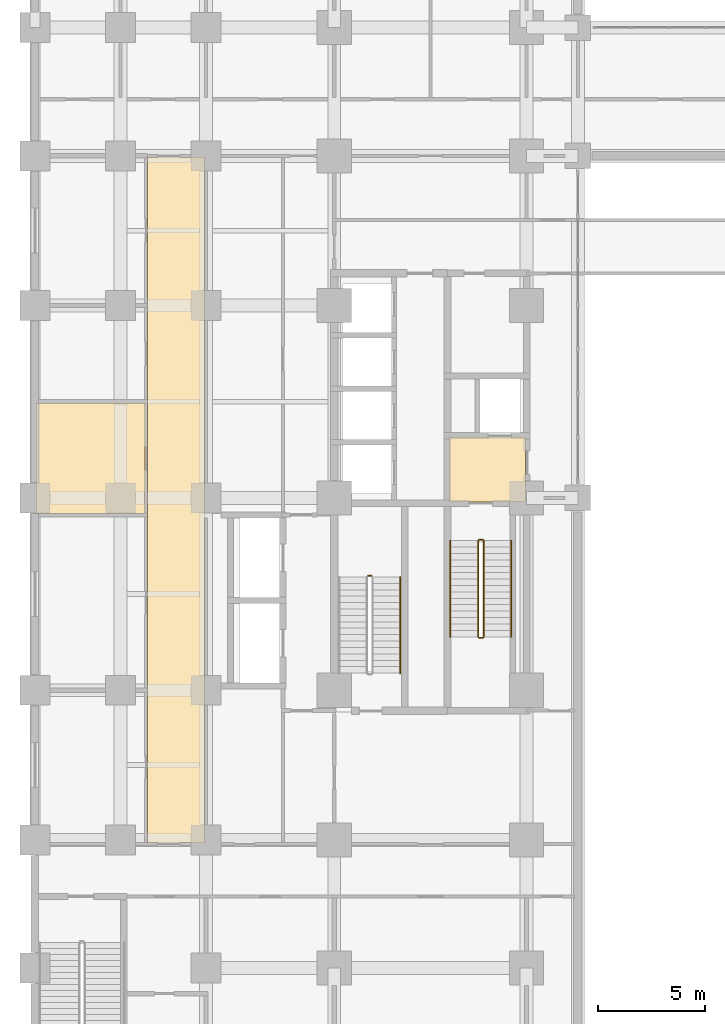
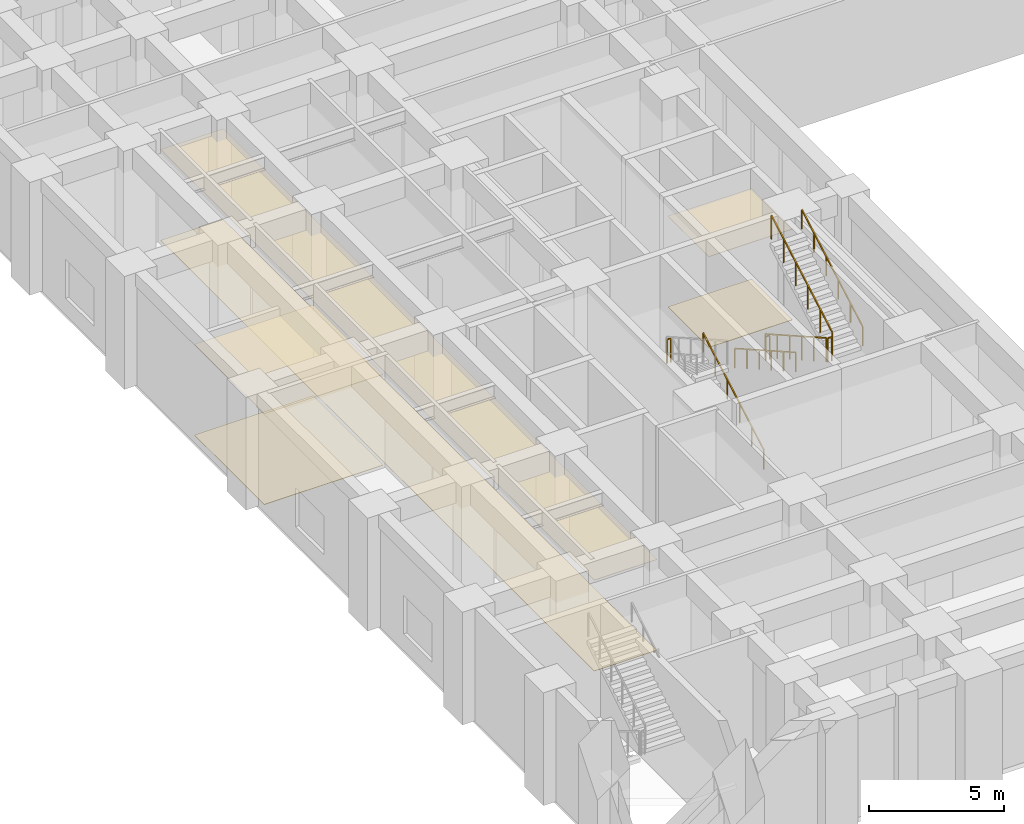
# One storey, part 19 of 23: 8 railings, 6 coverings.
"""IFC4 building model written with IfcOpenShell, lengths in metres."""

from ifc_helpers import new_model, si_unit, direction, frame, origin, origin_2d, place, context, subcontext, project, spatial, polyline, rectangle, outline, extrude, material, layer, layer_set, type_object, element, save


model = new_model("IFC4")

# Units and contexts
model_context = context("Model", 3, precision=1e-05, world=origin(), true_north=direction((0.0, 1.0)))
body_context = subcontext(model_context, "Body", "Model", "MODEL_VIEW")
ifc_project = project(units=[si_unit("LENGTHUNIT", "METRE"), si_unit("AREAUNIT", "SQUARE_METRE"), si_unit("VOLUMEUNIT", "CUBIC_METRE"), si_unit("PLANEANGLEUNIT", "RADIAN"), si_unit("MASSUNIT", "GRAM", prefix="KILO")], contexts=[model_context])

# Site, building, storey
site_placement = place(None, origin())
site = spatial("IfcSite", under=ifc_project, at=site_placement, CompositionType="ELEMENT")
building_placement = place(site_placement, origin())
building = spatial("IfcBuilding", under=site, at=building_placement, Name="Zulmaris Gate Convention Tower", CompositionType="ELEMENT")
storey_placement = place(building_placement, frame((0.0, 0.0, 10.8798828125)))
storey = spatial("IfcBuildingStorey", under=building, at=storey_placement, Name="L02", CompositionType="ELEMENT", Elevation=10.8798828125)

# Coverings
ifc_material_1 = material(Name="Mineral Fibre Acoustic Ceiling Tile")
ifc_layer_1 = layer(ifc_material_1, 0.02001953125, Name="Mineral Fibre Acoustic Ceiling Tile")
ifc_layer_set_1 = layer_set([ifc_layer_1], Name="Mineral Fibre Acoustic Ceiling Tile")
covering_type_1 = type_object("IfcCoveringType", Name="CLG-ACOUSTIC-600", PredefinedType="CEILING", material=ifc_layer_set_1)
covering_1_placement = place(storey_placement, frame((0.0, 0.0, 4.10009765625)))
element("IfcCovering", 1, at=covering_1_placement, inside=storey, type_object=covering_type_1, Name="CLG-L02-R03", PredefinedType="CEILING", context=body_context, shape_type="SweptSolid", body=[
    extrude(outline(polyline([(-14.639892578125, -0.18994140625), (-11.06005859375, -0.18994140625), (-11.06005859375, 2.840087890625), (-14.639892578125, 2.840087890625), (-14.639892578125, -0.18994140625)])), origin(), (0.0, 0.0, 1.0), 0.02001953125),
])
covering_2_placement = place(storey_placement, frame((0.0, 0.0, 4.10009765625)))
element("IfcCovering", 2, at=covering_2_placement, inside=storey, type_object=covering_type_1, Name="CLG-L02-R64", PredefinedType="CEILING", context=body_context, shape_type="SweptSolid", body=[
    extrude(outline(polyline([(-28.739990234375, -16.139892578125), (-26.06005859375, -16.139892578125), (-26.06005859375, 15.93994140625), (-28.739990234375, 15.93994140625), (-28.739990234375, -16.139892578125)])), origin(), (0.0, 0.0, 1.0), 0.02001953125),
])
covering_3_placement = place(storey_placement, frame((0.0, 0.0, 4.10009765625)))
element("IfcCovering", 3, at=covering_3_placement, inside=storey, type_object=covering_type_1, Name="CLG-L02-R67", PredefinedType="CEILING", context=body_context, shape_type="SweptSolid", body=[
    extrude(outline(polyline([(-33.93994140625, -0.739990234375), (-28.860107421875, -0.739990234375), (-28.860107421875, 4.43994140625), (-33.93994140625, 4.43994140625), (-33.93994140625, -0.739990234375)])), origin(), (0.0, 0.0, 1.0), 0.02001953125),
])
ifc_material_2 = material(Name="Woven Acoustic Wool Carpet Tile")
ifc_layer_2 = layer(ifc_material_2, 0.02001953125, Name="Woven Acoustic Wool Carpet Tile")
ifc_layer_set_2 = layer_set([ifc_layer_2], Name="Woven Acoustic Wool Carpet Tile")
covering_type_2 = type_object("IfcCoveringType", Name="FLR-CARPET-12", PredefinedType="FLOORING", material=ifc_layer_set_2)
covering_4_placement = place(storey_placement, origin())
element("IfcCovering", 4, at=covering_4_placement, inside=storey, type_object=covering_type_2, Name="FLR-L02-R03", PredefinedType="FLOORING", context=body_context, shape_type="SweptSolid", body=[
    extrude(outline(polyline([(-14.639892578125, -0.18994140625), (-11.06005859375, -0.18994140625), (-11.06005859375, 2.840087890625), (-14.639892578125, 2.840087890625), (-14.639892578125, -0.18994140625)])), origin(), (0.0, 0.0, 1.0), 0.02001953125),
])
covering_5_placement = place(storey_placement, origin())
element("IfcCovering", 5, at=covering_5_placement, inside=storey, type_object=covering_type_2, Name="FLR-L02-R64", PredefinedType="FLOORING", context=body_context, shape_type="SweptSolid", body=[
    extrude(outline(polyline([(-28.739990234375, -16.139892578125), (-26.06005859375, -16.139892578125), (-26.06005859375, 15.93994140625), (-28.739990234375, 15.93994140625), (-28.739990234375, -16.139892578125)])), origin(), (0.0, 0.0, 1.0), 0.02001953125),
])
ifc_material_3 = material(Name="Engineered Teak Parquet Flooring")
ifc_layer_3 = layer(ifc_material_3, 0.02001953125, Name="Engineered Teak Parquet Flooring")
ifc_layer_set_3 = layer_set([ifc_layer_3], Name="Engineered Teak Parquet Flooring")
covering_type_3 = type_object("IfcCoveringType", Name="FLR-TIMBER-18", PredefinedType="FLOORING", material=ifc_layer_set_3)
covering_6_placement = place(storey_placement, origin())
element("IfcCovering", 6, at=covering_6_placement, inside=storey, type_object=covering_type_3, Name="FLR-L02-R67", PredefinedType="FLOORING", context=body_context, shape_type="SweptSolid", body=[
    extrude(outline(polyline([(-33.93994140625, -0.739990234375), (-28.860107421875, -0.739990234375), (-28.860107421875, 4.43994140625), (-33.93994140625, 4.43994140625), (-33.93994140625, -0.739990234375)])), origin(), (0.0, 0.0, 1.0), 0.02001953125),
])

# Railings
ifc_material_4 = material(Name="Painted Galvanised Steel", Category="steel")
railing_type_1 = type_object("IfcRailingType", Name="RL-STG-1150", PredefinedType="GUARDRAIL", material=ifc_material_4)
railing_1_placement = place(storey_placement, frame((-13.27001953125, -2.0, 0.169921875)))
element("IfcRailing", 7, at=railing_1_placement, inside=storey, type_object=railing_type_1, Name="L02 ST-1 stair guard 1", PredefinedType="GUARDRAIL", context=body_context, shape_type="SweptSolid", body=[
    extrude(rectangle(XDim=0.048095703125, YDim=0.048095703125, at=origin_2d()), frame((0.0, 0.0, 1.076171875), z_axis=(0.0, -0.869997889882, 0.493055444754), x_axis=(1.0, 0.0, 0.0)), (0.0, 0.0, 1.0), 5.17236328125),
    extrude(rectangle(XDim=0.0419921875, YDim=0.0419921875, at=origin_2d()), origin(), (0.0, 0.0, 1.0), 1.052001953125),
    extrude(rectangle(XDim=0.0419921875, YDim=0.0419921875, at=origin_2d()), frame((0.0, -0.89990234375, 0.510009765625)), (0.0, 0.0, 1.0), 1.052001953125),
    extrude(rectangle(XDim=0.0419921875, YDim=0.0419921875, at=origin_2d()), frame((0.0, -1.800048828125, 1.02001953125)), (0.0, 0.0, 1.0), 1.052001953125),
    extrude(rectangle(XDim=0.0419921875, YDim=0.0419921875, at=origin_2d()), frame((0.0, -2.699951171875, 1.5302734375)), (0.0, 0.0, 1.0), 1.052001953125),
    extrude(rectangle(XDim=0.0419921875, YDim=0.0419921875, at=origin_2d()), frame((0.0, -3.60009765625, 2.040283203125)), (0.0, 0.0, 1.0), 1.052001953125),
    extrude(rectangle(XDim=0.0419921875, YDim=0.0419921875, at=origin_2d()), frame((0.0, -4.5, 2.55029296875)), (0.0, 0.0, 1.0), 1.052001953125),
])
railing_2_placement = place(storey_placement, frame((-13.219970703125, -6.550048828125, 2.72021484375)))
element("IfcRailing", 8, at=railing_2_placement, inside=storey, type_object=railing_type_1, Name="L02 ST-1 stair guard 2", PredefinedType="GUARDRAIL", context=body_context, shape_type="SweptSolid", body=[
    extrude(rectangle(XDim=0.048095703125, YDim=0.048095703125, at=origin_2d()), frame((0.0, 0.0, 1.076171875), z_axis=(1.0, 0.0, 0.0), x_axis=(0.0, 1.0, 0.0)), (0.0, 0.0, 1.0), 0.159912109375),
    extrude(rectangle(XDim=0.0419921875, YDim=0.0419921875, at=origin_2d()), origin(), (0.0, 0.0, 1.0), 1.052001953125),
    extrude(rectangle(XDim=0.0419921875, YDim=0.0419921875, at=origin_2d()), frame((0.159912109375, 0.0, 0.0)), (0.0, 0.0, 1.0), 1.052001953125),
])
railing_3_placement = place(storey_placement, frame((-13.010009765625, -6.5, 2.89013671875)))
element("IfcRailing", 9, at=railing_3_placement, inside=storey, type_object=railing_type_1, Name="L02 ST-1 stair guard 3", PredefinedType="GUARDRAIL", context=body_context, shape_type="SweptSolid", body=[
    extrude(rectangle(XDim=0.048095703125, YDim=0.048095703125, at=origin_2d()), frame((0.0, 0.0, 1.076171875), z_axis=(0.0, 0.870018136573, 0.493019717692), x_axis=(-1.0, 0.0, 0.0)), (0.0, 0.0, 1.0), 5.17236328125),
    extrude(rectangle(XDim=0.0419921875, YDim=0.0419921875, at=origin_2d()), origin(), (0.0, 0.0, 1.0), 1.052001953125),
    extrude(rectangle(XDim=0.0419921875, YDim=0.0419921875, at=origin_2d()), frame((0.0, 0.89990234375, 0.510009765625)), (0.0, 0.0, 1.0), 1.052001953125),
    extrude(rectangle(XDim=0.0419921875, YDim=0.0419921875, at=origin_2d()), frame((0.0, 1.800048828125, 1.02001953125)), (0.0, 0.0, 1.0), 1.052001953125),
    extrude(rectangle(XDim=0.0419921875, YDim=0.0419921875, at=origin_2d()), frame((0.0, 2.699951171875, 1.530029296875)), (0.0, 0.0, 1.0), 1.052001953125),
    extrude(rectangle(XDim=0.0419921875, YDim=0.0419921875, at=origin_2d()), frame((0.0, 3.60009765625, 2.0400390625)), (0.0, 0.0, 1.0), 1.052001953125),
    extrude(rectangle(XDim=0.0419921875, YDim=0.0419921875, at=origin_2d()), frame((0.0, 4.5, 2.550048828125)), (0.0, 0.0, 1.0), 1.052001953125),
])
railing_4_placement = place(storey_placement, frame((-13.219970703125, -1.949951171875, 0.0)))
element("IfcRailing", 10, at=railing_4_placement, inside=storey, type_object=railing_type_1, Name="L02 ST-1 stair guard 4", PredefinedType="GUARDRAIL", context=body_context, shape_type="SweptSolid", body=[
    extrude(rectangle(XDim=0.048095703125, YDim=0.048095703125, at=origin_2d()), frame((0.0, 0.0, 1.076171875), z_axis=(1.0, 0.0, 0.0), x_axis=(0.0, 1.0, 0.0)), (0.0, 0.0, 1.0), 0.159912109375),
    extrude(rectangle(XDim=0.0419921875, YDim=0.0419921875, at=origin_2d()), origin(), (0.0, 0.0, 1.0), 1.052001953125),
    extrude(rectangle(XDim=0.0419921875, YDim=0.0419921875, at=origin_2d()), frame((0.159912109375, 0.0, 0.0)), (0.0, 0.0, 1.0), 1.052001953125),
])
railing_5_placement = place(storey_placement, frame((-18.260009765625, -3.64990234375, 2.72021484375)))
element("IfcRailing", 11, at=railing_5_placement, inside=storey, type_object=railing_type_1, Name="L02 ST-3 stair guard 2", PredefinedType="GUARDRAIL", context=body_context, shape_type="SweptSolid", body=[
    extrude(rectangle(XDim=0.048095703125, YDim=0.048095703125, at=origin_2d()), frame((0.0, 0.0, 1.076171875), z_axis=(-1.0, 0.0, 0.0), x_axis=(0.0, -1.0, 0.0)), (0.0, 0.0, 1.0), 0.159912109375),
    extrude(rectangle(XDim=0.0419921875, YDim=0.0419921875, at=origin_2d()), origin(), (0.0, 0.0, 1.0), 1.052001953125),
    extrude(rectangle(XDim=0.0419921875, YDim=0.0419921875, at=origin_2d()), frame((-0.159912109375, 0.0, 0.0)), (0.0, 0.0, 1.0), 1.052001953125),
])
ifc_material_5 = material(Name="Brushed Stainless Steel", Category="steel")
railing_type_2 = type_object("IfcRailingType", Name="RL-STH-900", PredefinedType="HANDRAIL", material=ifc_material_5)
railing_6_placement = place(storey_placement, frame((-14.570068359375, -2.0, 0.169921875)))
element("IfcRailing", 12, at=railing_6_placement, inside=storey, type_object=railing_type_2, Name="L02 ST-1 stair handrail 1", PredefinedType="HANDRAIL", context=body_context, shape_type="SweptSolid", body=[
    extrude(rectangle(XDim=0.048095703125, YDim=0.048095703125, at=origin_2d()), frame((0.0, 0.0, 0.8759765625), z_axis=(0.0, -0.869997889882, 0.493055444754), x_axis=(1.0, 0.0, 0.0)), (0.0, 0.0, 1.0), 5.17236328125),
    extrude(rectangle(XDim=0.0419921875, YDim=0.0419921875, at=origin_2d()), origin(), (0.0, 0.0, 1.0), 0.851806640625),
    extrude(rectangle(XDim=0.0419921875, YDim=0.0419921875, at=origin_2d()), frame((0.0, -0.89990234375, 0.510009765625)), (0.0, 0.0, 1.0), 0.851806640625),
    extrude(rectangle(XDim=0.0419921875, YDim=0.0419921875, at=origin_2d()), frame((0.0, -1.800048828125, 1.02001953125)), (0.0, 0.0, 1.0), 0.851806640625),
    extrude(rectangle(XDim=0.0419921875, YDim=0.0419921875, at=origin_2d()), frame((0.0, -2.699951171875, 1.5302734375)), (0.0, 0.0, 1.0), 0.851806640625),
    extrude(rectangle(XDim=0.0419921875, YDim=0.0419921875, at=origin_2d()), frame((0.0, -3.60009765625, 2.040283203125)), (0.0, 0.0, 1.0), 0.851806640625),
    extrude(rectangle(XDim=0.0419921875, YDim=0.0419921875, at=origin_2d()), frame((0.0, -4.5, 2.55029296875)), (0.0, 0.0, 1.0), 0.851806640625),
])
railing_7_placement = place(storey_placement, frame((-11.7099609375, -6.5, 2.89013671875)))
element("IfcRailing", 13, at=railing_7_placement, inside=storey, type_object=railing_type_2, Name="L02 ST-1 stair handrail 2", PredefinedType="HANDRAIL", context=body_context, shape_type="SweptSolid", body=[
    extrude(rectangle(XDim=0.048095703125, YDim=0.048095703125, at=origin_2d()), frame((0.0, 0.0, 0.8759765625), z_axis=(0.0, 0.870018136573, 0.493019717692), x_axis=(-1.0, 0.0, 0.0)), (0.0, 0.0, 1.0), 5.17236328125),
    extrude(rectangle(XDim=0.0419921875, YDim=0.0419921875, at=origin_2d()), origin(), (0.0, 0.0, 1.0), 0.851806640625),
    extrude(rectangle(XDim=0.0419921875, YDim=0.0419921875, at=origin_2d()), frame((0.0, 0.89990234375, 0.510009765625)), (0.0, 0.0, 1.0), 0.851806640625),
    extrude(rectangle(XDim=0.0419921875, YDim=0.0419921875, at=origin_2d()), frame((0.0, 1.800048828125, 1.02001953125)), (0.0, 0.0, 1.0), 0.851806640625),
    extrude(rectangle(XDim=0.0419921875, YDim=0.0419921875, at=origin_2d()), frame((0.0, 2.699951171875, 1.530029296875)), (0.0, 0.0, 1.0), 0.851806640625),
    extrude(rectangle(XDim=0.0419921875, YDim=0.0419921875, at=origin_2d()), frame((0.0, 3.60009765625, 2.0400390625)), (0.0, 0.0, 1.0), 0.851806640625),
    extrude(rectangle(XDim=0.0419921875, YDim=0.0419921875, at=origin_2d()), frame((0.0, 4.5, 2.550048828125)), (0.0, 0.0, 1.0), 0.851806640625),
])
railing_8_placement = place(storey_placement, frame((-16.909912109375, -8.199951171875, 0.169921875)))
element("IfcRailing", 14, at=railing_8_placement, inside=storey, type_object=railing_type_2, Name="L02 ST-3 stair handrail 1", PredefinedType="HANDRAIL", context=body_context, shape_type="SweptSolid", body=[
    extrude(rectangle(XDim=0.048095703125, YDim=0.048095703125, at=origin_2d()), frame((0.0, 0.0, 0.8759765625), z_axis=(0.0, 0.869997889882, 0.493055444754), x_axis=(-1.0, 0.0, 0.0)), (0.0, 0.0, 1.0), 5.17236328125),
    extrude(rectangle(XDim=0.0419921875, YDim=0.0419921875, at=origin_2d()), origin(), (0.0, 0.0, 1.0), 0.851806640625),
    extrude(rectangle(XDim=0.0419921875, YDim=0.0419921875, at=origin_2d()), frame((0.0, 0.89990234375, 0.510009765625)), (0.0, 0.0, 1.0), 0.851806640625),
    extrude(rectangle(XDim=0.0419921875, YDim=0.0419921875, at=origin_2d()), frame((0.0, 1.800048828125, 1.02001953125)), (0.0, 0.0, 1.0), 0.851806640625),
    extrude(rectangle(XDim=0.0419921875, YDim=0.0419921875, at=origin_2d()), frame((0.0, 2.699951171875, 1.5302734375)), (0.0, 0.0, 1.0), 0.851806640625),
    extrude(rectangle(XDim=0.0419921875, YDim=0.0419921875, at=origin_2d()), frame((0.0, 3.60009765625, 2.040283203125)), (0.0, 0.0, 1.0), 0.851806640625),
    extrude(rectangle(XDim=0.0419921875, YDim=0.0419921875, at=origin_2d()), frame((0.0, 4.5, 2.55029296875)), (0.0, 0.0, 1.0), 0.851806640625),
])

save(model, "model.ifc")
